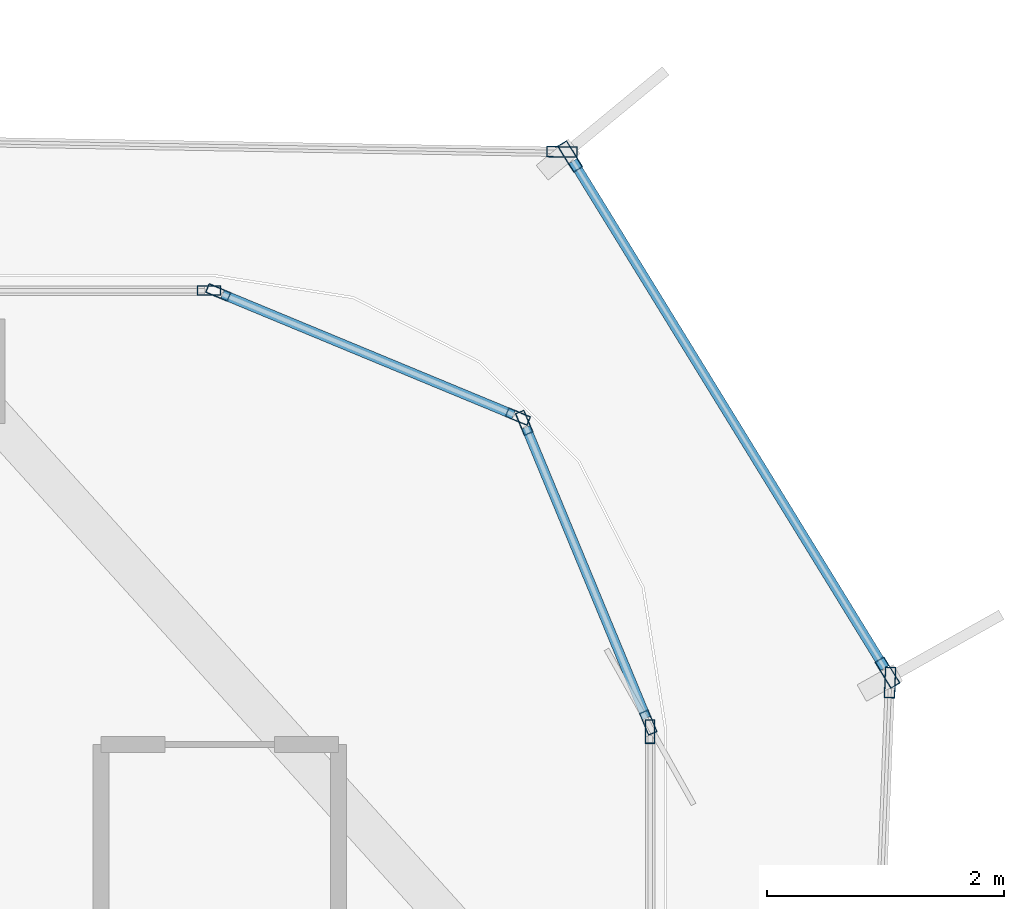
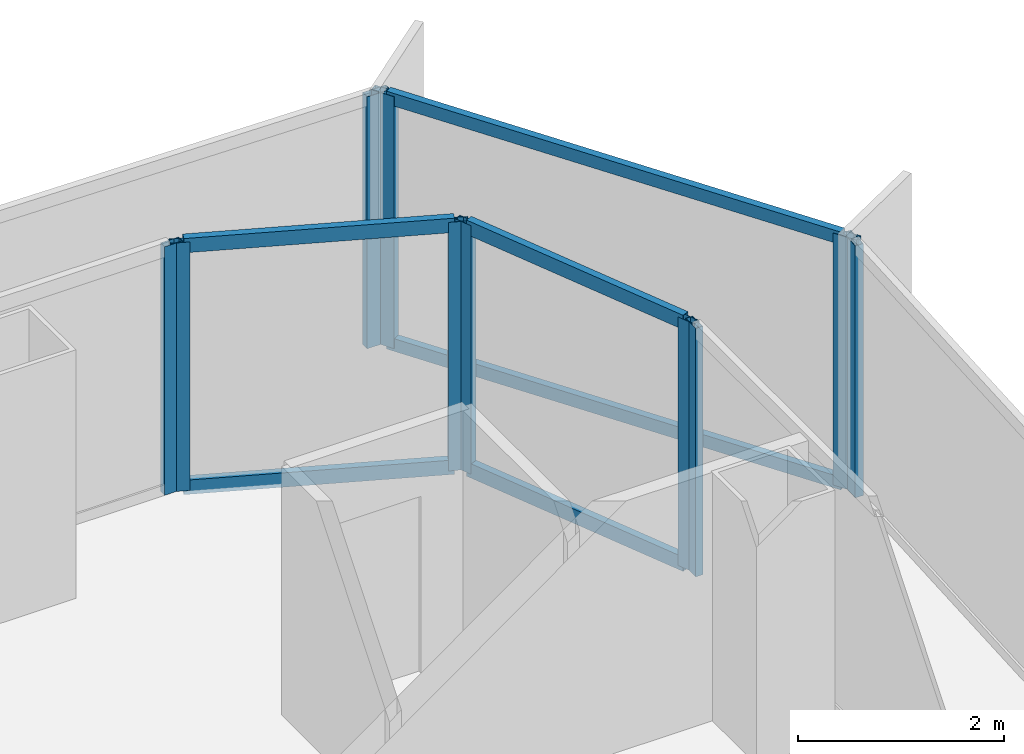
# One storey, part 14 of 21: 16 members, 7 elements without a shape of their own.
"""IFC4 building model written with IfcOpenShell, lengths in metres."""

from ifc_helpers import new_model, si_unit, direction, frame, origin, origin_2d, place, context, subcontext, project, spatial, hollow_rectangle, extrude, source, transform, mapped, material, layer, layer_set, material_profile, profile_set, type_object, element, aggregate, save


model = new_model("IFC4")

# Units and contexts
model_context = context("Model", 3, precision=1e-05, world=origin(), true_north=direction((0.0, 1.0)))
body_context = subcontext(model_context, "Body", "Model", "MODEL_VIEW")
ifc_project = project(units=[si_unit("LENGTHUNIT", "METRE"), si_unit("AREAUNIT", "SQUARE_METRE"), si_unit("VOLUMEUNIT", "CUBIC_METRE"), si_unit("PLANEANGLEUNIT", "RADIAN"), si_unit("MASSUNIT", "GRAM", prefix="KILO")], contexts=[model_context])

# Site, building, storey
site_placement = place(None, origin())
site = spatial("IfcSite", under=ifc_project, at=site_placement, CompositionType="ELEMENT")
building_placement = place(site_placement, origin())
building = spatial("IfcBuilding", under=site, at=building_placement, Name="Kolveth Station Tower", CompositionType="ELEMENT")
storey_placement = place(building_placement, frame((0.0, 0.0, 137.5)))
storey = spatial("IfcBuildingStorey", under=building, at=storey_placement, Name="L38", CompositionType="ELEMENT", Elevation=137.5)

# Curtain wall, member
ifc_material_1 = material(Name="Aluminium 6063-T6 and low-E dark glass", Category="aluminium")
ifc_layer_1 = layer(ifc_material_1, 0.18994140625)
ifc_layer_set_1 = layer_set([ifc_layer_1], Name="Aluminium 6063-T6 and low-E dark glass")
curtain_wall_type_1 = type_object("IfcCurtainWallType", Name="CurtainWall_CW-Z2", PredefinedType="NOTDEFINED", material=ifc_layer_set_1)
curtain_wall_1_placement = place(storey_placement, origin())
curtain_wall_1 = element("IfcCurtainWall", 1, at=curtain_wall_1_placement, inside=storey, type_object=curtain_wall_type_1, Name="L38 Inner Thermal Curtain Wall 3", PredefinedType="NOTDEFINED")
ifc_material_2 = material(Name="Black anodized aluminium 6063-T6", Category="aluminium")
ifc_material_profile_1 = material_profile(ifc_material_2, hollow_rectangle(XDim=0.080078125, YDim=0.199951171875, WallThickness=0.0048828125, at=origin_2d()), Name="ALU-80x200x5")
ifc_profile_set_1 = profile_set([ifc_material_profile_1], Name="Black anodized aluminium 6063-T6")
member_type_1 = type_object("IfcMemberType", Name="Mullion_ML2", PredefinedType="MULLION", material=ifc_profile_set_1)
shared_shape_1 = source(origin(), body_context, "Body", "SweptSolid", [
    extrude(hollow_rectangle(XDim=0.080078125, YDim=0.199951171875, WallThickness=0.0048828125, at=origin_2d()), origin(), (0.0, 0.0, 1.0), 2.949951171875),
])
member_1_placement = place(storey_placement, frame((46.8798828125, 31.4599609375, 0.0), z_axis=(0.0, 0.0, 1.0), x_axis=(-1.0, 0.0, 0.0)))
member_1 = element("IfcMember", 2, at=member_1_placement, type_object=member_type_1, Name="CW-Z2 mullion 2", PredefinedType="MULLION", context=body_context, shape_type="MappedRepresentation", body=[
    mapped(shared_shape_1, transform((0.0, 0.0, 0.0), x_axis=(1.0, 0.0, 0.0), y_axis=(0.0, 1.0, 0.0), z_axis=(0.0, 0.0, 1.0), scale=1.0)),
])
aggregate(curtain_wall_1, [member_1])

# Curtain wall, members
curtain_wall_2_placement = place(storey_placement, origin())
curtain_wall_2 = element("IfcCurtainWall", 3, at=curtain_wall_2_placement, inside=storey, type_object=curtain_wall_type_1, Name="L38 Inner Thermal Curtain Wall 4", PredefinedType="NOTDEFINED")
member_2_placement = place(storey_placement, frame((46.86474609375, 31.536865234375, 0.0), z_axis=(0.0, 0.0, 1.0), x_axis=(-0.923887883787, -0.38266326998, 0.0)))
member_2 = element("IfcMember", 4, at=member_2_placement, type_object=member_type_1, Name="CW-Z2 mullion 1", PredefinedType="MULLION", context=body_context, shape_type="MappedRepresentation", body=[
    mapped(shared_shape_1, transform((0.0, 0.0, 0.0), x_axis=(1.0, 0.0, 0.0), y_axis=(0.0, 1.0, 0.0), z_axis=(0.0, 0.0, 1.0), scale=1.0)),
])
member_3_placement = place(storey_placement, frame((45.817626953125, 34.065185546875, 0.0), z_axis=(0.0, 0.0, 1.0), x_axis=(-0.923887883787, -0.38266326998, 0.0)))
member_3 = element("IfcMember", 5, at=member_3_placement, type_object=member_type_1, Name="CW-Z2 mullion 2", PredefinedType="MULLION", context=body_context, shape_type="MappedRepresentation", body=[
    mapped(shared_shape_1, transform((0.0, 0.0, 0.0), x_axis=(1.0, 0.0, 0.0), y_axis=(0.0, 1.0, 0.0), z_axis=(0.0, 0.0, 1.0), scale=1.0)),
])

curtain_wall_3_placement = place(storey_placement, origin())
curtain_wall_3 = element("IfcCurtainWall", 6, at=curtain_wall_3_placement, inside=storey, type_object=curtain_wall_type_1, Name="L38 Inner Thermal Curtain Wall 5", PredefinedType="NOTDEFINED")
member_4_placement = place(storey_placement, frame((45.76513671875, 34.117431640625, 0.0), z_axis=(0.0, 0.0, 1.0), x_axis=(-0.38266326998, -0.923887883787, 0.0)))
member_4 = element("IfcMember", 7, at=member_4_placement, type_object=member_type_1, Name="CW-Z2 mullion 1", PredefinedType="MULLION", context=body_context, shape_type="MappedRepresentation", body=[
    mapped(shared_shape_1, transform((0.0, 0.0, 0.0), x_axis=(1.0, 0.0, 0.0), y_axis=(0.0, 1.0, 0.0), z_axis=(0.0, 0.0, 1.0), scale=1.0)),
])
member_5_placement = place(storey_placement, frame((43.237060546875, 35.164794921875, 0.0), z_axis=(0.0, 0.0, 1.0), x_axis=(-0.38266326998, -0.923887883787, 0.0)))
member_5 = element("IfcMember", 8, at=member_5_placement, type_object=member_type_1, Name="CW-Z2 mullion 2", PredefinedType="MULLION", context=body_context, shape_type="MappedRepresentation", body=[
    mapped(shared_shape_1, transform((0.0, 0.0, 0.0), x_axis=(1.0, 0.0, 0.0), y_axis=(0.0, 1.0, 0.0), z_axis=(0.0, 0.0, 1.0), scale=1.0)),
])

# Curtain wall, member
curtain_wall_4_placement = place(storey_placement, origin())
curtain_wall_4 = element("IfcCurtainWall", 9, at=curtain_wall_4_placement, inside=storey, type_object=curtain_wall_type_1, Name="L38 Inner Thermal Curtain Wall 6", PredefinedType="NOTDEFINED")
member_6_placement = place(storey_placement, frame((43.159912109375, 35.179931640625, 0.0), z_axis=(0.0, 0.0, 1.0), x_axis=(0.0, -1.0, 0.0)))
member_6 = element("IfcMember", 10, at=member_6_placement, type_object=member_type_1, Name="CW-Z2 mullion 1", PredefinedType="MULLION", context=body_context, shape_type="MappedRepresentation", body=[
    mapped(shared_shape_1, transform((0.0, 0.0, 0.0), x_axis=(1.0, 0.0, 0.0), y_axis=(0.0, 1.0, 0.0), z_axis=(0.0, 0.0, 1.0), scale=1.0)),
])
aggregate(curtain_wall_4, [member_6])

# Member
ifc_material_profile_2 = material_profile(ifc_material_2, hollow_rectangle(XDim=0.080078125, YDim=0.169921875, WallThickness=0.0048828125, at=origin_2d()), Name="ALU-80x170x5")
ifc_profile_set_2 = profile_set([ifc_material_profile_2], Name="Black anodized aluminium 6063-T6")
member_type_2 = type_object("IfcMemberType", Name="Transom_TR2", PredefinedType="USERDEFINED", material=ifc_profile_set_2)
shared_shape_2 = source(origin(), body_context, "Body", "SweptSolid", [
    extrude(hollow_rectangle(XDim=0.080078125, YDim=0.169921875, WallThickness=0.0048828125, at=origin_2d()), origin(), (0.0, 0.0, 1.0), 2.656494140625),
])
member_7_placement = place(storey_placement, frame((46.849365234375, 31.573974609375, 0.0400390625), z_axis=(-0.382676455475, 0.923882422403, 0.0), x_axis=(-0.923882422403, -0.382676455475, 0.0)))
member_7 = element("IfcMember", 11, at=member_7_placement, type_object=member_type_2, Name="CW-Z2 transom 1.1", ObjectType="TRANSOM", PredefinedType="USERDEFINED", context=body_context, shape_type="MappedRepresentation", body=[
    mapped(shared_shape_2, transform((0.0, 0.0, 0.0), x_axis=(1.0, 0.0, 0.0), y_axis=(0.0, 1.0, 0.0), z_axis=(0.0, 0.0, 1.0), scale=1.0)),
])

member_8_placement = place(storey_placement, frame((46.849365234375, 31.573974609375, 2.909912109375), z_axis=(-0.382676455475, 0.923882422403, 0.0), x_axis=(-0.923882422403, -0.382676455475, 0.0)))
member_8 = element("IfcMember", 12, at=member_8_placement, type_object=member_type_2, Name="CW-Z2 transom 1.2", ObjectType="TRANSOM", PredefinedType="USERDEFINED", context=body_context, shape_type="MappedRepresentation", body=[
    mapped(shared_shape_2, transform((0.0, 0.0, 0.0), x_axis=(1.0, 0.0, 0.0), y_axis=(0.0, 1.0, 0.0), z_axis=(0.0, 0.0, 1.0), scale=1.0)),
])

aggregate(curtain_wall_2, [member_2, member_3, member_7, member_8])

member_9_placement = place(storey_placement, frame((45.728271484375, 34.1328125, 0.0400390625), z_axis=(-0.923882422403, 0.382676455475, 0.0), x_axis=(-0.382676455475, -0.923882422403, 0.0)))
member_9 = element("IfcMember", 13, at=member_9_placement, type_object=member_type_2, Name="CW-Z2 transom 1.1", ObjectType="TRANSOM", PredefinedType="USERDEFINED", context=body_context, shape_type="MappedRepresentation", body=[
    mapped(shared_shape_2, transform((0.0, 0.0, 0.0), x_axis=(1.0, 0.0, 0.0), y_axis=(0.0, 1.0, 0.0), z_axis=(0.0, 0.0, 1.0), scale=1.0)),
])

member_10_placement = place(storey_placement, frame((45.728271484375, 34.1328125, 2.909912109375), z_axis=(-0.923882422403, 0.382676455475, 0.0), x_axis=(-0.382676455475, -0.923882422403, 0.0)))
member_10 = element("IfcMember", 14, at=member_10_placement, type_object=member_type_2, Name="CW-Z2 transom 1.2", ObjectType="TRANSOM", PredefinedType="USERDEFINED", context=body_context, shape_type="MappedRepresentation", body=[
    mapped(shared_shape_2, transform((0.0, 0.0, 0.0), x_axis=(1.0, 0.0, 0.0), y_axis=(0.0, 1.0, 0.0), z_axis=(0.0, 0.0, 1.0), scale=1.0)),
])

aggregate(curtain_wall_3, [member_4, member_5, member_9, member_10])

# Curtain wall, member
ifc_material_3 = material(Name="Black anodized aluminium 6063-T6 and dark solar glass", Category="aluminium")
ifc_layer_2 = layer(ifc_material_3, 0.159912109375)
ifc_layer_set_2 = layer_set([ifc_layer_2], Name="Black anodized aluminium 6063-T6 and dark solar glass")
curtain_wall_type_2 = type_object("IfcCurtainWallType", Name="OUTER SKIN CW-OS", PredefinedType="NOTDEFINED", material=ifc_layer_set_2)
curtain_wall_5_placement = place(storey_placement, origin())
curtain_wall_5 = element("IfcCurtainWall", 15, at=curtain_wall_5_placement, inside=storey, type_object=curtain_wall_type_2, Name="L38 Outer Ventilated Skin Curtain Wall 2", PredefinedType="NOTDEFINED")
ifc_material_profile_3 = material_profile(ifc_material_2, hollow_rectangle(XDim=0.090087890625, YDim=0.260009765625, WallThickness=0.0048828125, at=origin_2d()), Name="ALU-90x260x5")
ifc_profile_set_3 = profile_set([ifc_material_profile_3], Name="Black anodized aluminium 6063-T6")
member_type_3 = type_object("IfcMemberType", Name="FIN MULLION ML-OS", PredefinedType="MULLION", material=ifc_profile_set_3)
shared_shape_3 = source(origin(), body_context, "Body", "SweptSolid", [
    extrude(hollow_rectangle(XDim=0.090087890625, YDim=0.260009765625, WallThickness=0.0048828125, at=origin_2d()), origin(), (0.0, 0.0, 1.0), 2.989990234375),
])
member_11_placement = place(storey_placement, frame((48.90380859375, 31.874755859375, 0.0), z_axis=(0.0, 0.0, 1.0), x_axis=(-0.999208370598, 0.039782309217, 0.0)))
member_11 = element("IfcMember", 16, at=member_11_placement, type_object=member_type_3, Name="CW-OS mullion 2", PredefinedType="MULLION", context=body_context, shape_type="MappedRepresentation", body=[
    mapped(shared_shape_3, transform((0.0, 0.0, 0.0), x_axis=(1.0, 0.0, 0.0), y_axis=(0.0, 1.0, 0.0), z_axis=(0.0, 0.0, 1.0), scale=1.0)),
])
aggregate(curtain_wall_5, [member_11])

# Curtain wall, members
curtain_wall_6_placement = place(storey_placement, origin())
curtain_wall_6 = element("IfcCurtainWall", 17, at=curtain_wall_6_placement, inside=storey, type_object=curtain_wall_type_2, Name="L38 Outer Ventilated Skin Curtain Wall 3", PredefinedType="NOTDEFINED")
member_12_placement = place(storey_placement, frame((48.8818359375, 31.9580078125, 0.0), z_axis=(0.0, 0.0, 1.0), x_axis=(-0.851882719418, -0.523732596233, 0.0)))
member_12 = element("IfcMember", 18, at=member_12_placement, type_object=member_type_3, Name="CW-OS mullion 1", PredefinedType="MULLION", context=body_context, shape_type="MappedRepresentation", body=[
    mapped(shared_shape_3, transform((0.0, 0.0, 0.0), x_axis=(1.0, 0.0, 0.0), y_axis=(0.0, 1.0, 0.0), z_axis=(0.0, 0.0, 1.0), scale=1.0)),
])
member_13_placement = place(storey_placement, frame((46.20556640625, 36.311279296875, 0.0), z_axis=(0.0, 0.0, 1.0), x_axis=(-0.851882719418, -0.523732596233, 0.0)))
member_13 = element("IfcMember", 19, at=member_13_placement, type_object=member_type_3, Name="CW-OS mullion 2", PredefinedType="MULLION", context=body_context, shape_type="MappedRepresentation", body=[
    mapped(shared_shape_3, transform((0.0, 0.0, 0.0), x_axis=(1.0, 0.0, 0.0), y_axis=(0.0, 1.0, 0.0), z_axis=(0.0, 0.0, 1.0), scale=1.0)),
])

# Curtain wall, member
curtain_wall_7_placement = place(storey_placement, origin())
curtain_wall_7 = element("IfcCurtainWall", 20, at=curtain_wall_7_placement, inside=storey, type_object=curtain_wall_type_2, Name="L38 Outer Ventilated Skin Curtain Wall 4", PredefinedType="NOTDEFINED")
member_14_placement = place(storey_placement, frame((46.136962890625, 36.350341796875, 0.0), z_axis=(0.0, 0.0, 1.0), x_axis=(-0.016837283985, -0.999858242886, 0.0)))
member_14 = element("IfcMember", 21, at=member_14_placement, type_object=member_type_3, Name="CW-OS mullion 1", PredefinedType="MULLION", context=body_context, shape_type="MappedRepresentation", body=[
    mapped(shared_shape_3, transform((0.0, 0.0, 0.0), x_axis=(1.0, 0.0, 0.0), y_axis=(0.0, 1.0, 0.0), z_axis=(0.0, 0.0, 1.0), scale=1.0)),
])
aggregate(curtain_wall_7, [member_14])

# Member
ifc_material_profile_4 = material_profile(ifc_material_2, hollow_rectangle(XDim=0.080078125, YDim=0.14990234375, WallThickness=0.0048828125, at=origin_2d()), Name="ALU-80x150x5")
ifc_profile_set_4 = profile_set([ifc_material_profile_4], Name="Black anodized aluminium 6063-T6")
member_type_4 = type_object("IfcMemberType", Name="Transom_TR-OS", PredefinedType="USERDEFINED", material=ifc_profile_set_4)
shared_shape_4 = source(origin(), body_context, "Body", "SweptSolid", [
    extrude(hollow_rectangle(XDim=0.080078125, YDim=0.14990234375, WallThickness=0.0048828125, at=origin_2d()), origin(), (0.0, 0.0, 1.0), 5.020263671875),
])
member_15_placement = place(storey_placement, frame((48.8583984375, 31.996337890625, 0.0400390625), z_axis=(-0.523755505658, 0.851868634411, 0.0), x_axis=(-0.851868634411, -0.523755505658, 0.0)))
member_15 = element("IfcMember", 22, at=member_15_placement, type_object=member_type_4, Name="CW-OS transom 1.1", ObjectType="TRANSOM", PredefinedType="USERDEFINED", context=body_context, shape_type="MappedRepresentation", body=[
    mapped(shared_shape_4, transform((0.0, 0.0, 0.0), x_axis=(1.0, 0.0, 0.0), y_axis=(0.0, 1.0, 0.0), z_axis=(0.0, 0.0, 1.0), scale=1.0)),
])

member_16_placement = place(storey_placement, frame((48.8583984375, 31.996337890625, 2.949951171875), z_axis=(-0.523755505658, 0.851868634411, 0.0), x_axis=(-0.851868634411, -0.523755505658, 0.0)))
member_16 = element("IfcMember", 23, at=member_16_placement, type_object=member_type_4, Name="CW-OS transom 1.2", ObjectType="TRANSOM", PredefinedType="USERDEFINED", context=body_context, shape_type="MappedRepresentation", body=[
    mapped(shared_shape_4, transform((0.0, 0.0, 0.0), x_axis=(1.0, 0.0, 0.0), y_axis=(0.0, 1.0, 0.0), z_axis=(0.0, 0.0, 1.0), scale=1.0)),
])

aggregate(curtain_wall_6, [member_12, member_13, member_15, member_16])

save(model, "model.ifc")
